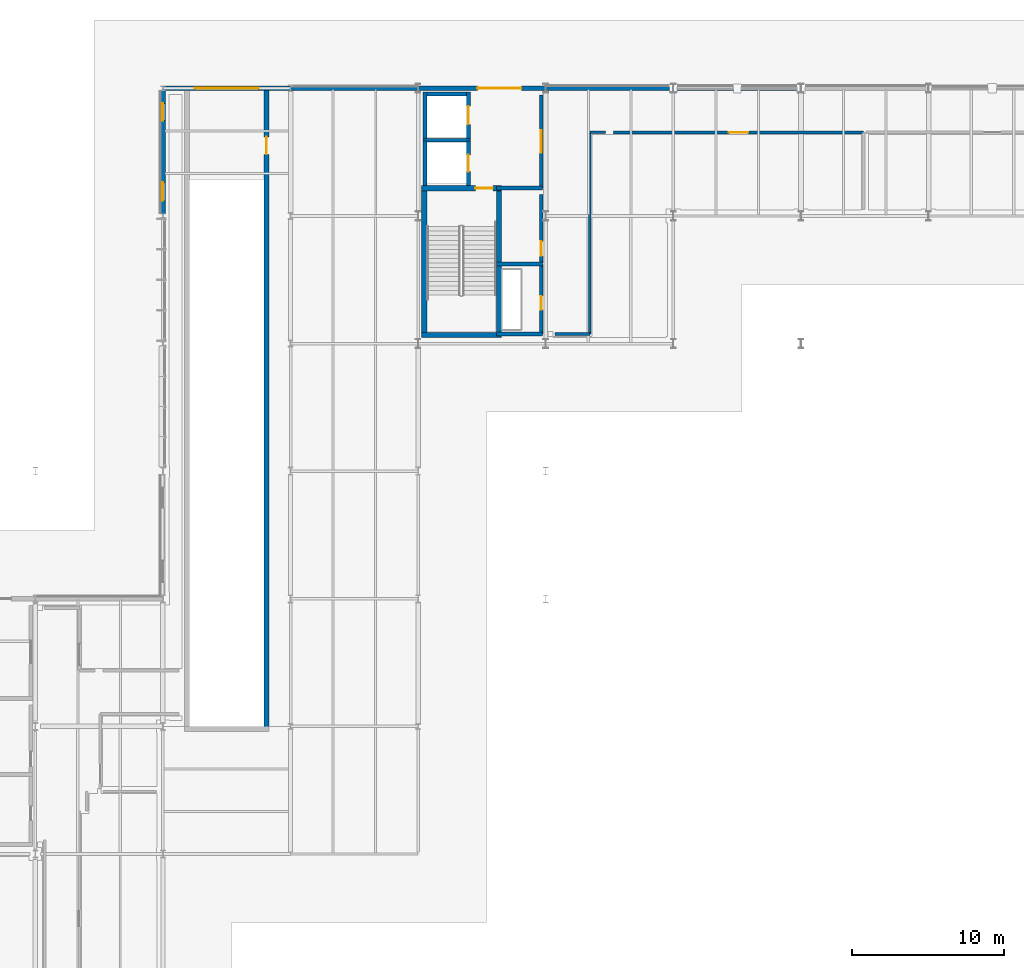
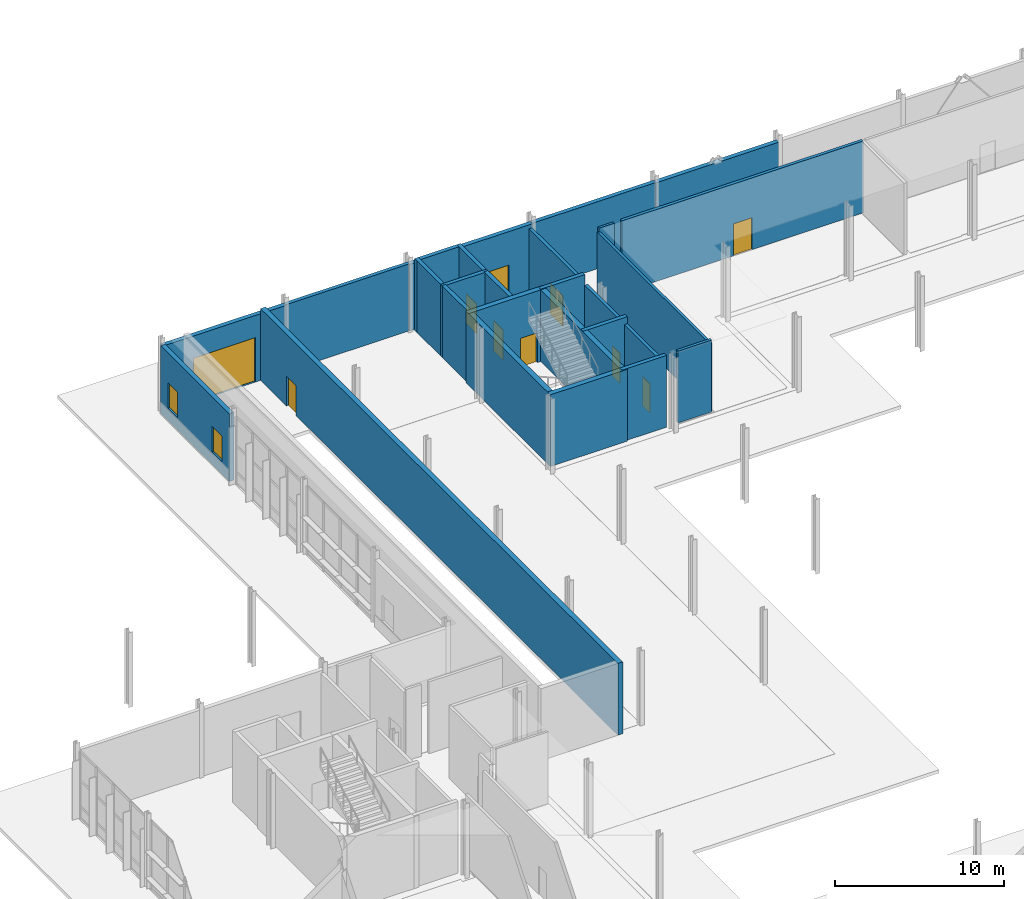
# One storey, part 89 of 124: 27 walls, 10 doors, 2 windows, 12 openings.
"""IFC4 building model written with IfcOpenShell, lengths in metres."""

from ifc_helpers import new_model, si_unit, direction, frame, frame_2d, origin, place, context, subcontext, project, spatial, rectangle, extrude, material, layer, layer_set, type_object, element, fill, save


model = new_model("IFC4")

# Units and contexts
model_context = context("Model", 3, precision=1e-05, world=origin(), true_north=direction((0.0, 1.0)))
body_context = subcontext(model_context, "Body", "Model", "MODEL_VIEW")
ifc_project = project(units=[si_unit("LENGTHUNIT", "METRE"), si_unit("AREAUNIT", "SQUARE_METRE"), si_unit("VOLUMEUNIT", "CUBIC_METRE"), si_unit("PLANEANGLEUNIT", "RADIAN"), si_unit("MASSUNIT", "GRAM", prefix="KILO")], contexts=[model_context])

# Site, building, storey
site_placement = place(None, origin())
site = spatial("IfcSite", under=ifc_project, at=site_placement, CompositionType="ELEMENT")
building_placement = place(site_placement, origin())
building = spatial("IfcBuilding", under=site, at=building_placement, Name="Mersafa Astral City Hall", CompositionType="ELEMENT")
storey_placement = place(building_placement, origin())
storey = spatial("IfcBuildingStorey", under=building, at=storey_placement, Name="L00", CompositionType="ELEMENT", Elevation=0.0)

# Walls
ifc_material_1 = material(Name="Precast concrete C40/50 insulated terracotta spandrel", Category="masonry")
ifc_layer_1 = layer(ifc_material_1, 0.25, Name="Precast concrete C40/50 insulated terracotta spandrel")
ifc_layer_set_1 = layer_set([ifc_layer_1], Name="Precast concrete C40/50 insulated terracotta spandrel — ENV-WAL-EXT-250")
wall_type_1 = type_object("IfcWallType", Name="ENV-WAL-EXT-250", PredefinedType="STANDARD", material=ifc_layer_set_1)
wall_1_placement = place(storey_placement, frame((41.991943359375, 126.0, 0.0), z_axis=(0.0, 0.0, 1.0), x_axis=(-1.0, 0.0, 0.0)))
element("IfcWall", 1, at=wall_1_placement, inside=storey, type_object=wall_type_1, Name="L00 Limestone-clad exterior wall 52", PredefinedType="STANDARD", context=body_context, shape_type="SweptSolid", body=[
    extrude(rectangle(XDim=8.384033203125, YDim=0.25, at=frame_2d((4.19189453125, 0.0))), origin(), (0.0, 0.0, 1.0), 4.826904296875),
])
ifc_material_2 = material(Name="Precast concrete C40/50 insulated limestone wall", Category="masonry")
ifc_layer_2 = layer(ifc_material_2, 0.280029296875, Name="Precast concrete C40/50 insulated limestone wall")
ifc_layer_set_2 = layer_set([ifc_layer_2], Name="Precast concrete C40/50 insulated limestone wall — ENV-WAL-EXT-280")
wall_type_2 = type_object("IfcWallType", Name="ENV-WAL-EXT-280", PredefinedType="STANDARD", material=ifc_layer_set_2)
wall_2_placement = place(storey_placement, frame((58.7919921875, 126.0, 0.0), z_axis=(0.0, 0.0, 1.0), x_axis=(-1.0, 0.0, 0.0)))
element("IfcWall", 2, at=wall_2_placement, inside=storey, type_object=wall_type_2, Name="L00 Limestone-clad exterior wall 50", PredefinedType="STANDARD", context=body_context, shape_type="SweptSolid", body=[
    extrude(rectangle(XDim=8.384033203125, YDim=0.280029296875, at=frame_2d((4.19189453125, 0.0))), origin(), (0.0, 0.0, 1.0), 4.826904296875),
])
ifc_layer_3 = layer(ifc_material_2, 0.294921875, Name="Precast concrete C40/50 insulated limestone wall")
ifc_layer_set_3 = layer_set([ifc_layer_3], Name="Precast concrete C40/50 insulated limestone wall — ENV-WAL-EXT-295")
wall_type_3 = type_object("IfcWallType", Name="ENV-WAL-EXT-295", PredefinedType="STANDARD", material=ifc_layer_set_3)
wall_3_placement = place(storey_placement, frame((67.19189453125, 126.0, 0.0), z_axis=(0.0, 0.0, 1.0), x_axis=(-1.0, 0.0, 0.0)))
element("IfcWall", 3, at=wall_3_placement, inside=storey, type_object=wall_type_3, Name="L00 Limestone-clad exterior wall 49", PredefinedType="STANDARD", context=body_context, shape_type="SweptSolid", body=[
    extrude(rectangle(XDim=8.3837890625, YDim=0.294921875, at=frame_2d((4.19189453125, 0.0))), origin(), (0.0, 0.0, 1.0), 4.797119140625),
])

# Wall, opening, door
wall_4_placement = place(storey_placement, frame((42.008056640625, 126.0, 0.0), z_axis=(0.0, 0.0, 1.0), x_axis=(1.0, 0.0, 0.0)))
wall_4 = element("IfcWall", 4, at=wall_4_placement, inside=storey, type_object=wall_type_3, Name="L00 Protected lobby exit wall E7", PredefinedType="STANDARD", context=body_context, shape_type="SweptSolid", body=[
    extrude(rectangle(XDim=8.384033203125, YDim=0.294921875, at=frame_2d((4.19189453125, 0.0))), origin(), (0.0, 0.0, 1.0), 4.797119140625),
])
opening_1_placement = place(wall_4_placement, frame((3.89208984375, 0.0, 0.0)))
opening_1 = element("IfcOpeningElement", 5, at=opening_1_placement, cuts=wall_4, Name="Opening ED-4", PredefinedType="OPENING", context=body_context, shape_type="SweptSolid", body=[
    extrude(rectangle(XDim=2.89990234375, YDim=2.3798828125, at=frame_2d((1.449951171875, 1.18994140625))), frame((0.0, 0.157470703125, 0.0), z_axis=(0.0, -1.0, 0.0), x_axis=(1.0, 0.0, 0.0)), (0.0, 0.0, 1.0), 0.31494140625),
])
ifc_material_3 = material(Name="Fire-rated steel exit door pair", Category="steel")
door_type_1 = type_object("IfcDoorType", Name="ENV-DR-EXIT-FD90-2650", OperationType="NOTDEFINED", PredefinedType="DOOR", material=ifc_material_3)
door_1_placement = place(opening_1_placement, origin())
door_1 = element("IfcDoor", 6, at=door_1_placement, inside=storey, type_object=door_type_1, Name="Ground Final Exit Door E7", OperationType="DOUBLE_DOOR_SINGLE_SWING", OverallHeight=2.3798828125, OverallWidth=2.89990234375, PredefinedType="DOOR", context=body_context, shape_type="SweptSolid", body=[
    extrude(rectangle(XDim=2.89990234375, YDim=2.3798828125, at=frame_2d((1.449951171875, 1.18994140625))), frame((0.0, 0.02490234375, 0.0), z_axis=(0.0, -1.0, 0.0), x_axis=(1.0, 0.0, 0.0)), (0.0, 0.0, 1.0), 0.050048828125),
])
fill(opening_1, door_1)

wall_5_placement = place(storey_placement, frame((33.592041015625, 126.0, 0.0), z_axis=(0.0, 0.0, 1.0), x_axis=(-1.0, 0.0, 0.0)))
wall_5 = element("IfcWall", 7, at=wall_5_placement, inside=storey, type_object=wall_type_3, Name="L00 Service ramp north portal wall", PredefinedType="STANDARD", context=body_context, shape_type="SweptSolid", body=[
    extrude(rectangle(XDim=8.384033203125, YDim=0.294921875, at=frame_2d((4.19189453125, 0.0))), origin(), (0.0, 0.0, 1.0), 4.797119140625),
])
opening_2_placement = place(wall_5_placement, frame((2.092041015625, 0.0, 0.0)))
opening_2 = element("IfcOpeningElement", 8, at=opening_2_placement, cuts=wall_5, Name="Opening SH-1", PredefinedType="OPENING", context=body_context, shape_type="SweptSolid", body=[
    extrude(rectangle(XDim=4.199951171875, YDim=3.199951171875, at=frame_2d((2.10009765625, 1.60009765625))), frame((0.0, 0.157470703125, 0.0), z_axis=(0.0, -1.0, 0.0), x_axis=(1.0, 0.0, 0.0)), (0.0, 0.0, 1.0), 0.31494140625),
])
ifc_material_4 = material(Name="Insulated galvanised steel roller shutter", Category="steel")
door_type_2 = type_object("IfcDoorType", Name="ENV-GATE-SHUTTER-4200", OperationType="NOTDEFINED", PredefinedType="GATE", material=ifc_material_4)
door_2_placement = place(opening_2_placement, origin())
door_2 = element("IfcDoor", 9, at=door_2_placement, inside=storey, type_object=door_type_2, Name="Service Ramp Insulated Steel Roller Shutter SH1", OperationType="ROLLINGUP", OverallHeight=3.199951171875, OverallWidth=4.199951171875, PredefinedType="GATE", context=body_context, shape_type="SweptSolid", body=[
    extrude(rectangle(XDim=4.199951171875, YDim=3.199951171875, at=frame_2d((2.10009765625, 1.60009765625))), frame((0.0, 0.02490234375, 0.0), z_axis=(0.0, -1.0, 0.0), x_axis=(1.0, 0.0, 0.0)), (0.0, 0.0, 1.0), 0.050048828125),
])
fill(opening_2, door_2)

# Wall, openings, windows
ifc_layer_4 = layer(ifc_material_2, 0.31005859375, Name="Precast concrete C40/50 insulated limestone wall")
ifc_layer_set_4 = layer_set([ifc_layer_4], Name="Precast concrete C40/50 insulated limestone wall — ENV-WAL-EXT-310")
wall_type_4 = type_object("IfcWallType", Name="ENV-WAL-EXT-310", PredefinedType="STANDARD", material=ifc_layer_set_4)
wall_6_placement = place(storey_placement, frame((25.199951171875, 125.85400390625, 0.0), z_axis=(0.0, 0.0, 1.0), x_axis=(0.0, -1.0, 0.0)))
wall_6 = element("IfcWall", 10, at=wall_6_placement, inside=storey, type_object=wall_type_4, Name="L00 Limestone-clad exterior wall 54", PredefinedType="STANDARD", context=body_context, shape_type="SweptSolid", body=[
    extrude(rectangle(XDim=8.10791015625, YDim=0.31005859375, at=frame_2d((4.053955078125, 0.0))), origin(), (0.0, 0.0, 1.0), 4.886962890625),
])
opening_3_placement = place(wall_6_placement, frame((0.85009765625, 0.0, 0.89990234375)))
opening_3 = element("IfcOpeningElement", 11, at=opening_3_placement, cuts=wall_6, Name="Opening W-42", PredefinedType="OPENING", context=body_context, shape_type="SweptSolid", body=[
    extrude(rectangle(XDim=1.1201171875, YDim=1.85009765625, at=frame_2d((0.56005859375, 0.925048828125))), frame((0.0, 0.1650390625, 0.0), z_axis=(0.0, -1.0, 0.0), x_axis=(1.0, 0.0, 0.0)), (0.0, 0.0, 1.0), 0.330078125),
])
opening_4_placement = place(wall_6_placement, frame((6.0380859375, 0.0, 0.89990234375)))
opening_4 = element("IfcOpeningElement", 12, at=opening_4_placement, cuts=wall_6, Name="Opening W-43", PredefinedType="OPENING", context=body_context, shape_type="SweptSolid", body=[
    extrude(rectangle(XDim=1.219970703125, YDim=1.85009765625, at=frame_2d((0.60986328125, 0.925048828125))), frame((0.0, 0.1650390625, 0.0), z_axis=(0.0, -1.0, 0.0), x_axis=(1.0, 0.0, 0.0)), (0.0, 0.0, 1.0), 0.330078125),
])
ifc_material_5 = material(Name="Solar control low-e double glazing in bronze frame", Category="glass")
window_type_1 = type_object("IfcWindowType", Name="ENV-WIN-W-42", PartitioningType="SINGLE_PANEL", PredefinedType="WINDOW", material=ifc_material_5)
window_1_placement = place(opening_3_placement, origin())
window_1 = element("IfcWindow", 13, at=window_1_placement, inside=storey, type_object=window_type_1, Name="L00 Solar punched window 54-L", OverallHeight=1.85009765625, OverallWidth=1.1201171875, PartitioningType="SINGLE_PANEL", PredefinedType="WINDOW", context=body_context, shape_type="SweptSolid", body=[
    extrude(rectangle(XDim=1.1201171875, YDim=1.85009765625, at=frame_2d((0.56005859375, 0.925048828125))), frame((0.0, 0.030029296875, 0.0), z_axis=(0.0, -1.0, 0.0), x_axis=(1.0, 0.0, 0.0)), (0.0, 0.0, 1.0), 0.06005859375),
])
fill(opening_3, window_1)
window_type_2 = type_object("IfcWindowType", Name="ENV-WIN-W-43", PartitioningType="SINGLE_PANEL", PredefinedType="WINDOW", material=ifc_material_5)
window_2_placement = place(opening_4_placement, origin())
window_2 = element("IfcWindow", 14, at=window_2_placement, inside=storey, type_object=window_type_2, Name="L00 Solar punched window 54-R", OverallHeight=1.85009765625, OverallWidth=1.219970703125, PartitioningType="SINGLE_PANEL", PredefinedType="WINDOW", context=body_context, shape_type="SweptSolid", body=[
    extrude(rectangle(XDim=1.219970703125, YDim=1.85009765625, at=frame_2d((0.60986328125, 0.925048828125))), frame((0.0, 0.030029296875, 0.0), z_axis=(0.0, -1.0, 0.0), x_axis=(1.0, 0.0, 0.0)), (0.0, 0.0, 1.0), 0.06005859375),
])
fill(opening_4, window_2)

# Walls
ifc_material_6 = material(Name="Concrete C40/50", Category="concrete")
ifc_layer_5 = layer(ifc_material_6, 0.260009765625, Name="Concrete C40/50")
ifc_layer_set_5 = layer_set([ifc_layer_5], Name="Concrete C40/50 — INT-WAL-CORE-260")
wall_type_5 = type_object("IfcWallType", Name="INT-WAL-CORE-260", PredefinedType="SHEAR", material=ifc_layer_set_5)
wall_7_placement = place(storey_placement, frame((42.31494140625, 122.5849609375, 0.0), z_axis=(0.0, 0.0, 1.0), x_axis=(1.0, 0.0, 0.0)))
element("IfcWall", 15, at=wall_7_placement, inside=storey, type_object=wall_type_5, Name="L00 Lift LF5 north shaft wall", PredefinedType="SHEAR", context=body_context, shape_type="SweptSolid", body=[
    extrude(rectangle(XDim=3.130126953125, YDim=0.260009765625, at=frame_2d((1.56494140625, 0.0))), origin(), (0.0, 0.0, 1.0), 5.175048828125),
])
wall_8_placement = place(storey_placement, frame((42.445068359375, 119.596923828125, 0.0), z_axis=(0.0, 0.0, 1.0), x_axis=(0.0, 1.0, 0.0)))
element("IfcWall", 16, at=wall_8_placement, inside=storey, type_object=wall_type_5, Name="L00 Lift LF5 back shaft wall", PredefinedType="SHEAR", context=body_context, shape_type="SweptSolid", body=[
    extrude(rectangle(XDim=2.947998046875, YDim=0.260009765625, at=frame_2d((1.47412109375, 0.0))), origin(), (0.0, 0.0, 1.0), 5.175048828125),
])

# Wall, opening, door
wall_9_placement = place(storey_placement, frame((45.31494140625, 119.596923828125, 0.0), z_axis=(0.0, 0.0, 1.0), x_axis=(0.0, 1.0, 0.0)))
wall_9 = element("IfcWall", 17, at=wall_9_placement, inside=storey, type_object=wall_type_5, Name="L00 Lift LF5 front shaft wall", PredefinedType="SHEAR", context=body_context, shape_type="SweptSolid", body=[
    extrude(rectangle(XDim=2.947998046875, YDim=0.260009765625, at=frame_2d((1.47412109375, 0.0))), origin(), (0.0, 0.0, 1.0), 5.175048828125),
])
opening_5_placement = place(wall_9_placement, frame((0.924072265625, 0.0, 0.0)))
opening_5 = element("IfcOpeningElement", 18, at=opening_5_placement, cuts=wall_9, Name="Opening LD-1", PredefinedType="OPENING", context=body_context, shape_type="SweptSolid", body=[
    extrude(rectangle(XDim=1.10009765625, YDim=2.14990234375, at=frame_2d((0.550048828125, 1.074951171875))), frame((0.0, 0.139892578125, 0.0), z_axis=(0.0, -1.0, 0.0), x_axis=(1.0, 0.0, 0.0)), (0.0, 0.0, 1.0), 0.280029296875),
])
ifc_material_7 = material(Name="Stainless steel sliding lift landing door", Category="steel")
door_type_3 = type_object("IfcDoorType", Name="INT-DR-LIFT-LD1", OperationType="NOTDEFINED", PredefinedType="DOOR", material=ifc_material_7)
door_3_placement = place(opening_5_placement, origin())
door_3 = element("IfcDoor", 19, at=door_3_placement, inside=storey, type_object=door_type_3, Name="Elevator LF5 Sliding Landing Door L00", OperationType="DOUBLE_DOOR_SLIDING", OverallHeight=2.14990234375, OverallWidth=1.10009765625, PredefinedType="DOOR", context=body_context, shape_type="SweptSolid", body=[
    extrude(rectangle(XDim=1.10009765625, YDim=2.14990234375, at=frame_2d((0.550048828125, 1.074951171875))), frame((0.0, 0.02490234375, 0.0), z_axis=(0.0, -1.0, 0.0), x_axis=(1.0, 0.0, 0.0)), (0.0, 0.0, 1.0), 0.050048828125),
])
fill(opening_5, door_3)

# Walls
wall_10_placement = place(storey_placement, frame((42.31494140625, 125.635009765625, 0.0), z_axis=(0.0, 0.0, 1.0), x_axis=(1.0, 0.0, 0.0)))
element("IfcWall", 20, at=wall_10_placement, inside=storey, type_object=wall_type_5, Name="L00 Lift LF9 north shaft wall", PredefinedType="SHEAR", context=body_context, shape_type="SweptSolid", body=[
    extrude(rectangle(XDim=3.130126953125, YDim=0.260009765625, at=frame_2d((1.56494140625, 0.0))), origin(), (0.0, 0.0, 1.0), 5.175048828125),
])
wall_11_placement = place(storey_placement, frame((42.445068359375, 122.705078125, 0.0), z_axis=(0.0, 0.0, 1.0), x_axis=(0.0, 1.0, 0.0)))
element("IfcWall", 21, at=wall_11_placement, inside=storey, type_object=wall_type_5, Name="L00 Lift LF9 back shaft wall", PredefinedType="SHEAR", context=body_context, shape_type="SweptSolid", body=[
    extrude(rectangle(XDim=3.059814453125, YDim=0.260009765625, at=frame_2d((1.52978515625, 0.0))), origin(), (0.0, 0.0, 1.0), 5.175048828125),
])

# Wall, opening, door
wall_12_placement = place(storey_placement, frame((45.31494140625, 122.705078125, 0.0), z_axis=(0.0, 0.0, 1.0), x_axis=(0.0, 1.0, 0.0)))
wall_12 = element("IfcWall", 22, at=wall_12_placement, inside=storey, type_object=wall_type_5, Name="L00 Lift LF9 front shaft wall", PredefinedType="SHEAR", context=body_context, shape_type="SweptSolid", body=[
    extrude(rectangle(XDim=3.059814453125, YDim=0.260009765625, at=frame_2d((1.52978515625, 0.0))), origin(), (0.0, 0.0, 1.0), 5.175048828125),
])
opening_6_placement = place(wall_12_placement, frame((0.929931640625, 0.0, 0.0)))
opening_6 = element("IfcOpeningElement", 23, at=opening_6_placement, cuts=wall_12, Name="Opening LD-2", PredefinedType="OPENING", context=body_context, shape_type="SweptSolid", body=[
    extrude(rectangle(XDim=1.199951171875, YDim=2.14990234375, at=frame_2d((0.60009765625, 1.074951171875))), frame((0.0, 0.139892578125, 0.0), z_axis=(0.0, -1.0, 0.0), x_axis=(1.0, 0.0, 0.0)), (0.0, 0.0, 1.0), 0.280029296875),
])
ifc_material_8 = material(Name="Heavy-duty sliding goods lift landing door", Category="metal")
door_type_4 = type_object("IfcDoorType", Name="INT-DR-LIFT-LD2", OperationType="NOTDEFINED", PredefinedType="DOOR", material=ifc_material_8)
door_4_placement = place(opening_6_placement, origin())
door_4 = element("IfcDoor", 24, at=door_4_placement, inside=storey, type_object=door_type_4, Name="Elevator LF9 Sliding Landing Door L00", OperationType="DOUBLE_DOOR_SLIDING", OverallHeight=2.14990234375, OverallWidth=1.199951171875, PredefinedType="DOOR", context=body_context, shape_type="SweptSolid", body=[
    extrude(rectangle(XDim=1.199951171875, YDim=2.14990234375, at=frame_2d((0.60009765625, 1.074951171875))), frame((0.0, 0.02490234375, 0.0), z_axis=(0.0, -1.0, 0.0), x_axis=(1.0, 0.0, 0.0)), (0.0, 0.0, 1.0), 0.050048828125),
])
fill(opening_6, door_4)

# Walls
for number, where, z_axis, x_axis, name in (
    (25, (47.1650390625, 109.820068359375, 0.0), (0.0, 0.0, 1.0), (1.0, 0.0, 0.0), "L00 Core K3 riser south wall"),
    (26, (47.1650390625, 114.43505859375, 0.0), (0.0, 0.0, 1.0), (1.0, 0.0, 0.0), "L00 Core K3 riser-restroom divider wall"),
    (27, (47.1650390625, 119.43505859375, 0.0), (0.0, 0.0, 1.0), (1.0, 0.0, 0.0), "L00 Core K3 restroom-lobby divider wall"),
):
    element("IfcWall", number, at=place(storey_placement, frame(where, z_axis=z_axis, x_axis=x_axis)), inside=storey, type_object=wall_type_5, Name=name, PredefinedType="SHEAR", context=body_context, shape_type="SweptSolid", body=[
        extrude(rectangle(XDim=3.034912109375, YDim=0.260009765625, at=frame_2d((1.517578125, 0.0))), origin(), (0.0, 0.0, 1.0), 5.175048828125),
    ])
ifc_layer_6 = layer(ifc_material_6, 0.340087890625, Name="Concrete C40/50")
ifc_layer_set_6 = layer_set([ifc_layer_6], Name="Concrete C40/50 — INT-WAL-CORE-340")
wall_type_6 = type_object("IfcWallType", Name="INT-WAL-CORE-340", PredefinedType="SHEAR", material=ifc_layer_set_6)
for number, where, z_axis, x_axis, name in (
    (28, (42.405029296875, 109.60498046875, 0.0), (0.0, 0.0, 1.0), (0.0, 1.0, 0.0), "L00 Core K3 stair west shear wall"),
    (29, (47.31494140625, 109.60498046875, 0.0), (0.0, 0.0, 1.0), (0.0, 1.0, 0.0), "L00 Core K3 stair east shear wall"),
):
    element("IfcWall", number, at=place(storey_placement, frame(where, z_axis=z_axis, x_axis=x_axis)), inside=storey, type_object=wall_type_6, Name=name, PredefinedType="SHEAR", context=body_context, shape_type="SweptSolid", body=[
        extrude(rectangle(XDim=9.989990234375, YDim=0.340087890625, at=frame_2d((4.9951171875, 0.0))), origin(), (0.0, 0.0, 1.0), 5.175048828125),
    ])
wall_13_placement = place(storey_placement, frame((42.235107421875, 109.77490234375, 0.0), z_axis=(0.0, 0.0, 1.0), x_axis=(1.0, 0.0, 0.0)))
element("IfcWall", 30, at=wall_13_placement, inside=storey, type_object=wall_type_6, Name="L00 Core K3 stair south shear wall", PredefinedType="SHEAR", context=body_context, shape_type="SweptSolid", body=[
    extrude(rectangle(XDim=5.25, YDim=0.340087890625, at=frame_2d((2.625, 0.0))), origin(), (0.0, 0.0, 1.0), 5.175048828125),
])

# Wall, opening, door
wall_14_placement = place(storey_placement, frame((42.235107421875, 119.425048828125, 0.0), z_axis=(0.0, 0.0, 1.0), x_axis=(1.0, 0.0, 0.0)))
wall_14 = element("IfcWall", 31, at=wall_14_placement, inside=storey, type_object=wall_type_6, Name="L00 Core K3 stair-lobby fire wall", PredefinedType="SHEAR", context=body_context, shape_type="SweptSolid", body=[
    extrude(rectangle(XDim=5.25, YDim=0.340087890625, at=frame_2d((2.625, 0.0))), origin(), (0.0, 0.0, 1.0), 5.175048828125),
])
opening_7_placement = place(wall_14_placement, frame((3.534912109375, 0.0, 0.0)))
opening_7 = element("IfcOpeningElement", 32, at=opening_7_placement, cuts=wall_14, Name="Opening CD-1", PredefinedType="OPENING", context=body_context, shape_type="SweptSolid", body=[
    extrude(rectangle(XDim=1.14990234375, YDim=2.14990234375, at=frame_2d((0.574951171875, 1.074951171875))), frame((0.0, 0.179931640625, 0.0), z_axis=(0.0, -1.0, 0.0), x_axis=(1.0, 0.0, 0.0)), (0.0, 0.0, 1.0), 0.360107421875),
])
ifc_material_9 = material(Name="Fire-rated steel stair door", Category="steel")
door_type_5 = type_object("IfcDoorType", Name="INT-DR-STAIR-FD90-1150", OperationType="NOTDEFINED", PredefinedType="DOOR", material=ifc_material_9)
door_5_placement = place(opening_7_placement, origin())
door_5 = element("IfcDoor", 33, at=door_5_placement, inside=storey, type_object=door_type_5, Name="L00 Protected Stair ST3 Door", OperationType="SINGLE_SWING_LEFT", OverallHeight=2.14990234375, OverallWidth=1.14990234375, PredefinedType="DOOR", context=body_context, shape_type="SweptSolid", body=[
    extrude(rectangle(XDim=1.14990234375, YDim=2.14990234375, at=frame_2d((0.574951171875, 1.074951171875))), frame((0.0, 0.02490234375, 0.0), z_axis=(0.0, -1.0, 0.0), x_axis=(1.0, 0.0, 0.0)), (0.0, 0.0, 1.0), 0.050048828125),
])
fill(opening_7, door_5)

wall_15_placement = place(storey_placement, frame((32.02490234375, 83.659912109375, 0.0), z_axis=(0.0, 0.0, 1.0), x_axis=(0.0, 1.0, 0.0)))
wall_15 = element("IfcWall", 34, at=wall_15_placement, inside=storey, type_object=wall_type_6, Name="L00 Service ramp E enclosure shear wall", PredefinedType="SHEAR", context=body_context, shape_type="SweptSolid", body=[
    extrude(rectangle(XDim=42.190185546875, YDim=0.340087890625, at=frame_2d((21.09521484375, 0.0))), origin(), (0.0, 0.0, 1.0), 5.175048828125),
])
opening_8_placement = place(wall_15_placement, frame((38.0, 0.0, 0.0)))
opening_8 = element("IfcOpeningElement", 35, at=opening_8_placement, cuts=wall_15, Name="Opening CD-1", PredefinedType="OPENING", context=body_context, shape_type="SweptSolid", body=[
    extrude(rectangle(XDim=1.14990234375, YDim=2.14990234375, at=frame_2d((0.574951171875, 1.074951171875))), frame((0.0, 0.179931640625, 0.0), z_axis=(0.0, -1.0, 0.0), x_axis=(1.0, 0.0, 0.0)), (0.0, 0.0, 1.0), 0.360107421875),
])
door_6_placement = place(opening_8_placement, origin())
door_6 = element("IfcDoor", 36, at=door_6_placement, inside=storey, type_object=door_type_5, Name="L00 Service Ramp Vestibule Access Door", OperationType="SINGLE_SWING_RIGHT", OverallHeight=2.14990234375, OverallWidth=1.14990234375, PredefinedType="DOOR", context=body_context, shape_type="SweptSolid", body=[
    extrude(rectangle(XDim=1.14990234375, YDim=2.14990234375, at=frame_2d((0.574951171875, 1.074951171875))), frame((0.0, 0.02490234375, 0.0), z_axis=(0.0, -1.0, 0.0), x_axis=(1.0, 0.0, 0.0)), (0.0, 0.0, 1.0), 0.050048828125),
])
fill(opening_8, door_6)

# Walls
ifc_material_10 = material(Name="Fire-rated gypsum stud partition", Category="gypsum")
ifc_layer_7 = layer(ifc_material_10, 0.1650390625, Name="Fire-rated gypsum stud partition")
ifc_layer_set_7 = layer_set([ifc_layer_7], Name="Fire-rated gypsum stud partition — INT-WAL-PART-EI60-165")
wall_type_7 = type_object("IfcWallType", Name="INT-WAL-PART-EI60-165", PredefinedType="STANDARD", material=ifc_layer_set_7)
wall_16_placement = place(storey_placement, frame((53.300048828125, 123.10009765625, -0.00390625), z_axis=(0.0, 0.0, 1.0), x_axis=(1.0, 0.0, 0.0)))
element("IfcWall", 37, at=wall_16_placement, inside=storey, type_object=wall_type_7, Name="L00 Interior partition wall 151", PredefinedType="STANDARD", context=body_context, shape_type="SweptSolid", body=[
    extrude(rectangle(XDim=1.0400390625, YDim=0.1650390625, at=frame_2d((0.52001953125, 0.0))), origin(), (0.0, 0.0, 1.0), 5.178955078125),
])
ifc_material_11 = material(Name="Acoustic twin-stud gypsum partition", Category="gypsum")
ifc_layer_8 = layer(ifc_material_11, 0.179931640625, Name="Acoustic twin-stud gypsum partition")
ifc_layer_set_8 = layer_set([ifc_layer_8], Name="Acoustic twin-stud gypsum partition — INT-WAL-PART-EI60-180")
wall_type_8 = type_object("IfcWallType", Name="INT-WAL-PART-EI60-180", PredefinedType="STANDARD", material=ifc_layer_set_8)
wall_17_placement = place(storey_placement, frame((53.300048828125, 109.820068359375, -0.00390625), z_axis=(0.0, 0.0, 1.0), x_axis=(0.0, 1.0, 0.0)))
element("IfcWall", 38, at=wall_17_placement, inside=storey, type_object=wall_type_8, Name="L00 Interior partition wall 150", PredefinedType="STANDARD", context=body_context, shape_type="SweptSolid", body=[
    extrude(rectangle(XDim=13.280029296875, YDim=0.179931640625, at=frame_2d((6.64013671875, 0.0))), origin(), (0.0, 0.0, 1.0), 4.890869140625),
])
ifc_layer_9 = layer(ifc_material_11, 0.195068359375, Name="Acoustic twin-stud gypsum partition")
ifc_layer_set_9 = layer_set([ifc_layer_9], Name="Acoustic twin-stud gypsum partition — INT-WAL-PART-EI60-195")
wall_type_9 = type_object("IfcWallType", Name="INT-WAL-PART-EI60-195", PredefinedType="STANDARD", material=ifc_layer_set_9)
wall_18_placement = place(storey_placement, frame((51.02001953125, 109.820068359375, -0.00390625), z_axis=(0.0, 0.0, 1.0), x_axis=(1.0, 0.0, 0.0)))
element("IfcWall", 39, at=wall_18_placement, inside=storey, type_object=wall_type_9, Name="L00 Interior partition wall 149", PredefinedType="STANDARD", context=body_context, shape_type="SweptSolid", body=[
    extrude(rectangle(XDim=2.280029296875, YDim=0.195068359375, at=frame_2d((1.14013671875, 0.0))), origin(), (0.0, 0.0, 1.0), 5.178955078125),
])

# Wall, opening, door
ifc_material_12 = material(Name="Autoclaved aerated concrete blockwork plastered", Category="masonry")
ifc_layer_10 = layer(ifc_material_12, 0.2099609375, Name="Autoclaved aerated concrete blockwork plastered")
ifc_layer_set_10 = layer_set([ifc_layer_10], Name="Autoclaved aerated concrete blockwork plastered — INT-WAL-PART-EI60-210")
wall_type_10 = type_object("IfcWallType", Name="INT-WAL-PART-EI60-210", PredefinedType="STANDARD", material=ifc_layer_set_10)
wall_19_placement = place(storey_placement, frame((50.10009765625, 109.820068359375, 0.0), z_axis=(0.0, 0.0, 1.0), x_axis=(0.0, 1.0, 0.0)))
wall_19 = element("IfcWall", 40, at=wall_19_placement, inside=storey, type_object=wall_type_10, Name="L00 Core K3 riser corridor partition", PredefinedType="STANDARD", context=body_context, shape_type="SweptSolid", body=[
    extrude(rectangle(XDim=4.58984375, YDim=0.2099609375, at=frame_2d((2.294921875, 0.0))), origin(), (0.0, 0.0, 1.0), 4.6669921875),
])
opening_9_placement = place(wall_19_placement, frame((1.60009765625, 0.0, 0.0)))
opening_9 = element("IfcOpeningElement", 41, at=opening_9_placement, cuts=wall_19, Name="Opening CD-5", PredefinedType="OPENING", context=body_context, shape_type="SweptSolid", body=[
    extrude(rectangle(XDim=0.89990234375, YDim=2.10009765625, at=frame_2d((0.449951171875, 1.050048828125))), frame((0.0, 0.114990234375, 0.0), z_axis=(0.0, -1.0, 0.0), x_axis=(1.0, 0.0, 0.0)), (0.0, 0.0, 1.0), 0.22998046875),
])
ifc_material_13 = material(Name="Fire-rated steel riser access door", Category="steel")
door_type_6 = type_object("IfcDoorType", Name="INT-DR-RISER-FD60-900", OperationType="NOTDEFINED", PredefinedType="DOOR", material=ifc_material_13)
door_7_placement = place(opening_9_placement, origin())
door_7 = element("IfcDoor", 42, at=door_7_placement, inside=storey, type_object=door_type_6, Name="L00 K3 MEP Riser Access Door", OperationType="SINGLE_SWING_RIGHT", OverallHeight=2.10009765625, OverallWidth=0.89990234375, PredefinedType="DOOR", context=body_context, shape_type="SweptSolid", body=[
    extrude(rectangle(XDim=0.89990234375, YDim=2.10009765625, at=frame_2d((0.449951171875, 1.050048828125))), frame((0.0, 0.02490234375, 0.0), z_axis=(0.0, -1.0, 0.0), x_axis=(1.0, 0.0, 0.0)), (0.0, 0.0, 1.0), 0.050048828125),
])
fill(opening_9, door_7)

wall_20_placement = place(storey_placement, frame((50.10009765625, 114.52001953125, 0.0), z_axis=(0.0, 0.0, 1.0), x_axis=(0.0, 1.0, 0.0)))
wall_20 = element("IfcWall", 43, at=wall_20_placement, inside=storey, type_object=wall_type_10, Name="L00 Core K3 accessible WC corridor partition", PredefinedType="STANDARD", context=body_context, shape_type="SweptSolid", body=[
    extrude(rectangle(XDim=4.47998046875, YDim=0.2099609375, at=frame_2d((2.239990234375, 0.0))), origin(), (0.0, 0.0, 1.0), 4.6669921875),
])
opening_10_placement = place(wall_20_placement, frame((0.449951171875, 0.0, 0.0)))
opening_10 = element("IfcOpeningElement", 44, at=opening_10_placement, cuts=wall_20, Name="Opening CD-4", PredefinedType="OPENING", context=body_context, shape_type="SweptSolid", body=[
    extrude(rectangle(XDim=0.949951171875, YDim=2.14990234375, at=frame_2d((0.47509765625, 1.074951171875))), frame((0.0, 0.114990234375, 0.0), z_axis=(0.0, -1.0, 0.0), x_axis=(1.0, 0.0, 0.0)), (0.0, 0.0, 1.0), 0.22998046875),
])
ifc_material_14 = material(Name="Accessible timber acoustic WC door", Category="wood")
door_type_7 = type_object("IfcDoorType", Name="INT-DR-WC-FD30-950", OperationType="NOTDEFINED", PredefinedType="DOOR", material=ifc_material_14)
door_8_placement = place(opening_10_placement, origin())
door_8 = element("IfcDoor", 45, at=door_8_placement, inside=storey, type_object=door_type_7, Name="L00 K3 Accessible Restroom Door", OperationType="SINGLE_SWING_LEFT", OverallHeight=2.14990234375, OverallWidth=0.949951171875, PredefinedType="DOOR", context=body_context, shape_type="SweptSolid", body=[
    extrude(rectangle(XDim=0.949951171875, YDim=2.14990234375, at=frame_2d((0.47509765625, 1.074951171875))), frame((0.0, 0.02490234375, 0.0), z_axis=(0.0, -1.0, 0.0), x_axis=(1.0, 0.0, 0.0)), (0.0, 0.0, 1.0), 0.050048828125),
])
fill(opening_10, door_8)

wall_21_placement = place(storey_placement, frame((50.10009765625, 119.43994140625, 0.0), z_axis=(0.0, 0.0, 1.0), x_axis=(0.0, 1.0, 0.0)))
wall_21 = element("IfcWall", 46, at=wall_21_placement, inside=storey, type_object=wall_type_10, Name="L00 Core K3 lobby corridor partition", PredefinedType="STANDARD", context=body_context, shape_type="SweptSolid", body=[
    extrude(rectangle(XDim=6.1201171875, YDim=0.2099609375, at=frame_2d((3.06005859375, 0.0))), origin(), (0.0, 0.0, 1.0), 4.757080078125),
])
opening_11_placement = place(wall_21_placement, frame((2.31005859375, 0.0, 0.0)))
opening_11 = element("IfcOpeningElement", 47, at=opening_11_placement, cuts=wall_21, Name="Opening CD-3", PredefinedType="OPENING", context=body_context, shape_type="SweptSolid", body=[
    extrude(rectangle(XDim=1.5, YDim=2.199951171875, at=frame_2d((0.75, 1.10009765625))), frame((0.0, 0.114990234375, 0.0), z_axis=(0.0, -1.0, 0.0), x_axis=(1.0, 0.0, 0.0)), (0.0, 0.0, 1.0), 0.22998046875),
])
ifc_material_15 = material(Name="Fire-rated glazed lobby door pair", Category="metal")
door_type_8 = type_object("IfcDoorType", Name="INT-DR-LOBBY-FD90-1500", OperationType="NOTDEFINED", PredefinedType="DOOR", material=ifc_material_15)
door_9_placement = place(opening_11_placement, origin())
door_9 = element("IfcDoor", 48, at=door_9_placement, inside=storey, type_object=door_type_8, Name="L00 K3 Lift Lobby Fire Door", OperationType="DOUBLE_DOOR_SINGLE_SWING", OverallHeight=2.199951171875, OverallWidth=1.5, PredefinedType="DOOR", context=body_context, shape_type="SweptSolid", body=[
    extrude(rectangle(XDim=1.5, YDim=2.199951171875, at=frame_2d((0.75, 1.10009765625))), frame((0.0, 0.02490234375, 0.0), z_axis=(0.0, -1.0, 0.0), x_axis=(1.0, 0.0, 0.0)), (0.0, 0.0, 1.0), 0.050048828125),
])
fill(opening_11, door_9)

wall_22_placement = place(storey_placement, frame((54.860107421875, 123.10009765625, -0.00390625), z_axis=(0.0, 0.0, 1.0), x_axis=(1.0, 0.0, 0.0)))
wall_22 = element("IfcWall", 49, at=wall_22_placement, inside=storey, type_object=wall_type_10, Name="L00 Interior partition wall 152", PredefinedType="STANDARD", context=body_context, shape_type="SweptSolid", body=[
    extrude(rectangle(XDim=16.449951171875, YDim=0.2099609375, at=frame_2d((8.22509765625, 0.0))), origin(), (0.0, 0.0, 1.0), 5.178955078125),
])
opening_12_placement = place(wall_22_placement, frame((7.5849609375, 0.0, 0.0)))
opening_12 = element("IfcOpeningElement", 50, at=opening_12_placement, cuts=wall_22, Name="Opening D-33", PredefinedType="OPENING", context=body_context, shape_type="SweptSolid", body=[
    extrude(rectangle(XDim=1.280029296875, YDim=2.300048828125, at=frame_2d((0.64013671875, 1.14990234375))), frame((0.0, 0.114990234375, 0.0), z_axis=(0.0, -1.0, 0.0), x_axis=(1.0, 0.0, 0.0)), (0.0, 0.0, 1.0), 0.22998046875),
])
ifc_material_16 = material(Name="Cedar veneered acoustic fire-rated timber door", Category="wood")
door_type_9 = type_object("IfcDoorType", Name="INT-DR-RM-D-33", OperationType="NOTDEFINED", PredefinedType="DOOR", material=ifc_material_16)
door_10_placement = place(opening_12_placement, origin())
door_10 = element("IfcDoor", 51, at=door_10_placement, inside=storey, type_object=door_type_9, Name="L00 Civil Registry Reception Hall L00-07 Entrance Door", OperationType="SINGLE_SWING_LEFT", OverallHeight=2.300048828125, OverallWidth=1.280029296875, PredefinedType="DOOR", context=body_context, shape_type="SweptSolid", body=[
    extrude(rectangle(XDim=1.280029296875, YDim=2.300048828125, at=frame_2d((0.64013671875, 1.14990234375))), frame((0.0, 0.02490234375, 0.0), z_axis=(0.0, -1.0, 0.0), x_axis=(1.0, 0.0, 0.0)), (0.0, 0.0, 1.0), 0.050048828125),
])
fill(opening_12, door_10)

save(model, "model.ifc")
